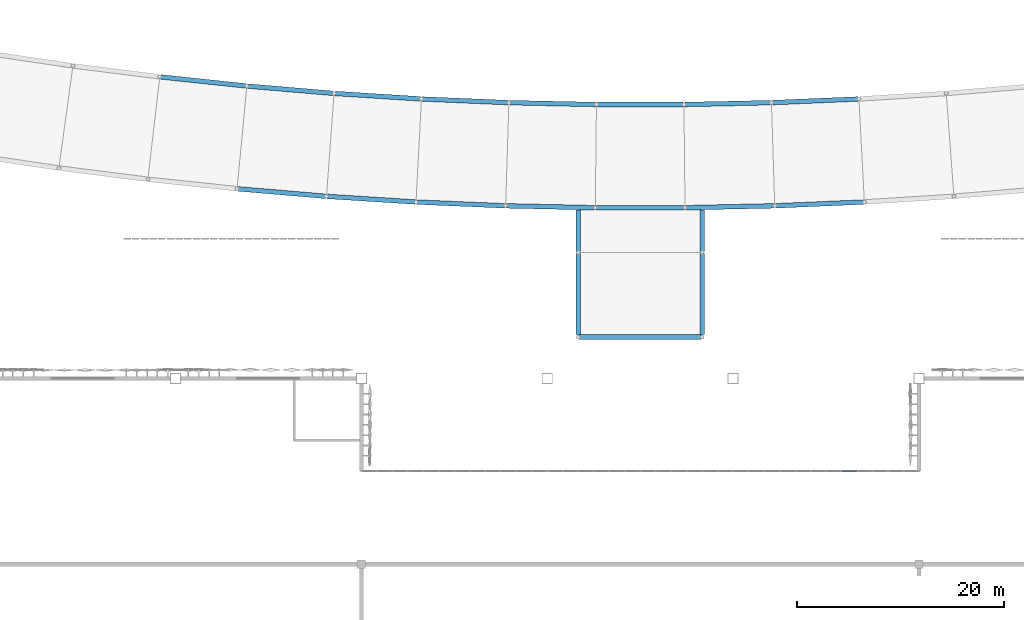
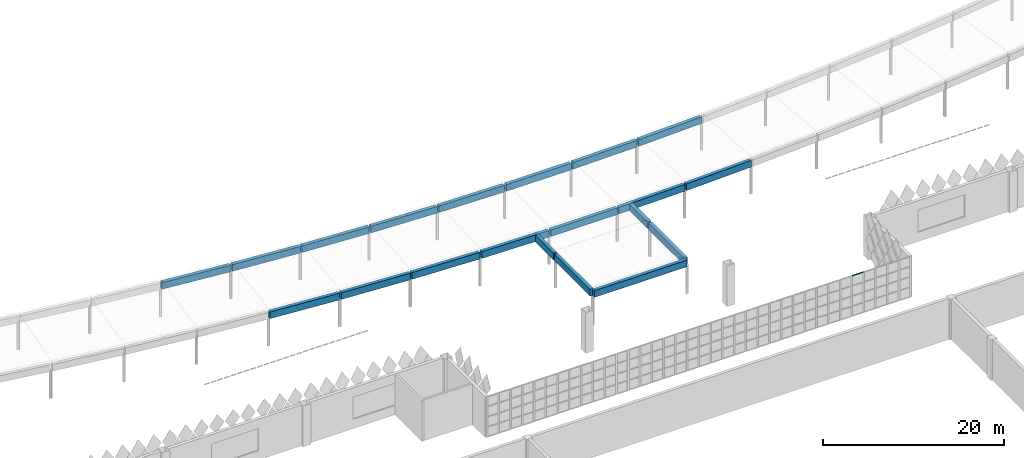
# One storey, part 45 of 185: 20 beams, 1 member, 1 element without a shape of its own.
"""IFC4 building model written with IfcOpenShell, lengths in metres."""

from ifc_helpers import new_model, si_unit, direction, frame, origin, origin_2d, place, context, subcontext, project, spatial, rectangle, hollow_rectangle, extrude, material, layer, layer_set, material_profile, profile_set, type_object, element, aggregate, save


model = new_model("IFC4")

# Units and contexts
model_context = context("Model", 3, precision=1e-05, world=origin(), true_north=direction((0.0, 1.0)))
body_context = subcontext(model_context, "Body", "Model", "MODEL_VIEW")
ifc_project = project(units=[si_unit("LENGTHUNIT", "METRE"), si_unit("AREAUNIT", "SQUARE_METRE"), si_unit("VOLUMEUNIT", "CUBIC_METRE"), si_unit("PLANEANGLEUNIT", "RADIAN"), si_unit("MASSUNIT", "GRAM", prefix="KILO")], contexts=[model_context])

# Site, building, storey
site_placement = place(None, origin())
site = spatial("IfcSite", under=ifc_project, at=site_placement, CompositionType="ELEMENT")
building_placement = place(site_placement, origin())
building = spatial("IfcBuilding", under=site, at=building_placement, Name="Opaline Strait Convention Centre", CompositionType="ELEMENT")
storey_placement = place(building_placement, frame((0.0, 0.0, 6.0)))
storey = spatial("IfcBuildingStorey", under=building, at=storey_placement, Name="L01", CompositionType="ELEMENT", Elevation=6.0)

# Beams
ifc_material_1 = material(Name="Concrete C40", Category="concrete")
ifc_material_profile_1 = material_profile(ifc_material_1, rectangle(XDim=0.449951171875, YDim=0.89990234375, at=origin_2d()), Name="RC 450x900")
ifc_profile_set_1 = profile_set([ifc_material_profile_1], Name="Concrete C40")
beam_type = type_object("IfcBeamType", Name="Arcade edge beam 450 x 900 C40", PredefinedType="BEAM", material=ifc_profile_set_1)
for number, where, z_axis, x_axis, name in (
    (1, (141.06103515625, 171.35009765625, 4.14990234375), (0.996434988163, -0.084364177019, 0.0), (0.084364177019, 0.996434988163, 0.0), "Arcade edge beam SB-I06"),
    (2, (149.718017578125, 170.619384765625, 4.14990234375), (0.99798848885, -0.06339539513, 0.0), (0.06339539513, 0.99798848885, 0.0), "Arcade edge beam SB-I07"),
):
    element("IfcBeam", number, at=place(storey_placement, frame(where, z_axis=z_axis, x_axis=x_axis)), inside=storey, type_object=beam_type, Name=name, ObjectType="SB1", PredefinedType="BEAM", context=body_context, shape_type="SweptSolid", body=[
        extrude(rectangle(XDim=0.449951171875, YDim=0.89990234375, at=origin_2d()), origin(), (0.0, 0.0, 1.0), 8.48779296875),
    ])
beam_1_placement = place(storey_placement, frame((158.388427734375, 170.07080078125, 4.14990234375), z_axis=(0.999102146097, -0.042366279794, 0.0), x_axis=(0.042366279794, 0.999102146097, 0.0)))
element("IfcBeam", 3, at=beam_1_placement, inside=storey, type_object=beam_type, Name="Arcade edge beam SB-I08", ObjectType="SB1", PredefinedType="BEAM", context=body_context, shape_type="SweptSolid", body=[
    extrude(rectangle(XDim=0.449951171875, YDim=0.89990234375, at=origin_2d()), origin(), (0.0, 0.0, 1.0), 8.48828125),
])
beam_2_placement = place(storey_placement, frame((167.069091796875, 169.705078125, 4.14990234375), z_axis=(0.999775315006, -0.02119715794, 0.0), x_axis=(0.02119715794, 0.999775315006, 0.0)))
element("IfcBeam", 4, at=beam_2_placement, inside=storey, type_object=beam_type, Name="Arcade edge beam SB-I09", ObjectType="SB1", PredefinedType="BEAM", context=body_context, shape_type="SweptSolid", body=[
    extrude(rectangle(XDim=0.449951171875, YDim=0.89990234375, at=origin_2d()), origin(), (0.0, 0.0, 1.0), 8.488525390625),
])
beam_3_placement = place(storey_placement, frame((175.755615234375, 169.52294921875, 4.14990234375), z_axis=(1.0, 0.0, 0.0), x_axis=(0.0, 1.0, 0.0)))
element("IfcBeam", 5, at=beam_3_placement, inside=storey, type_object=beam_type, Name="Arcade edge beam SB-I10", ObjectType="SB1", PredefinedType="BEAM", context=body_context, shape_type="SweptSolid", body=[
    extrude(rectangle(XDim=0.449951171875, YDim=0.89990234375, at=origin_2d()), origin(), (0.0, 0.0, 1.0), 8.48876953125),
])
beam_4_placement = place(storey_placement, frame((184.4443359375, 169.525146484375, 4.14990234375), z_axis=(0.999775315006, 0.02119715794, 0.0), x_axis=(-0.02119715794, 0.999775315006, 0.0)))
element("IfcBeam", 6, at=beam_4_placement, inside=storey, type_object=beam_type, Name="Arcade edge beam SB-I11", ObjectType="SB1", PredefinedType="BEAM", context=body_context, shape_type="SweptSolid", body=[
    extrude(rectangle(XDim=0.449951171875, YDim=0.89990234375, at=origin_2d()), origin(), (0.0, 0.0, 1.0), 8.488525390625),
])
beam_5_placement = place(storey_placement, frame((193.130859375, 169.711181640625, 4.14990234375), z_axis=(0.999102146097, 0.042366279794, 0.0), x_axis=(-0.042366279794, 0.999102146097, 0.0)))
element("IfcBeam", 7, at=beam_5_placement, inside=storey, type_object=beam_type, Name="Arcade edge beam SB-I12", ObjectType="SB1", PredefinedType="BEAM", context=body_context, shape_type="SweptSolid", body=[
    extrude(rectangle(XDim=0.449951171875, YDim=0.89990234375, at=origin_2d()), origin(), (0.0, 0.0, 1.0), 8.48828125),
])
beam_6_placement = place(storey_placement, frame((133.577392578125, 182.194580078125, 4.14990234375), z_axis=(0.994458004392, -0.105134568538, 0.0), x_axis=(0.105134568538, 0.994458004392, 0.0)))
element("IfcBeam", 8, at=beam_6_placement, inside=storey, type_object=beam_type, Name="Arcade edge beam SB-O05", ObjectType="SB1", PredefinedType="BEAM", context=body_context, shape_type="SweptSolid", body=[
    extrude(rectangle(XDim=0.449951171875, YDim=0.89990234375, at=origin_2d()), origin(), (0.0, 0.0, 1.0), 8.278564453125),
])
beam_7_placement = place(storey_placement, frame((142.009033203125, 181.30517578125, 4.14990234375), z_axis=(0.996433812642, -0.084378060083, 0.0), x_axis=(0.084378060083, 0.996433812642, 0.0)))
element("IfcBeam", 9, at=beam_7_placement, inside=storey, type_object=beam_type, Name="Arcade edge beam SB-O06", ObjectType="SB1", PredefinedType="BEAM", context=body_context, shape_type="SweptSolid", body=[
    extrude(rectangle(XDim=0.449951171875, YDim=0.89990234375, at=origin_2d()), origin(), (0.0, 0.0, 1.0), 8.278076171875),
])
beam_8_placement = place(storey_placement, frame((150.456787109375, 180.592041015625, 4.14990234375), z_axis=(0.997987313184, -0.063413900087, 0.0), x_axis=(0.063413900087, 0.997987313184, 0.0)))
element("IfcBeam", 10, at=beam_8_placement, inside=storey, type_object=beam_type, Name="Arcade edge beam SB-O07", ObjectType="SB1", PredefinedType="BEAM", context=body_context, shape_type="SweptSolid", body=[
    extrude(rectangle(XDim=0.449951171875, YDim=0.89990234375, at=origin_2d()), origin(), (0.0, 0.0, 1.0), 8.27734375),
])
for number, where, z_axis, x_axis, name in (
    (11, (158.917236328125, 180.056640625, 4.14990234375), (0.999103793698, -0.042327407415, 0.0), (0.042327407415, 0.999103793698, 0.0), "Arcade edge beam SB-O08"),
    (12, (167.38671875, 179.699951171875, 4.14990234375), (0.999775076107, -0.021208422721, 0.0), (0.021208422721, 0.999775076107, 0.0), "Arcade edge beam SB-O09"),
):
    element("IfcBeam", number, at=place(storey_placement, frame(where, z_axis=z_axis, x_axis=x_axis)), inside=storey, type_object=beam_type, Name=name, ObjectType="SB1", PredefinedType="BEAM", context=body_context, shape_type="SweptSolid", body=[
        extrude(rectangle(XDim=0.449951171875, YDim=0.89990234375, at=origin_2d()), origin(), (0.0, 0.0, 1.0), 8.27685546875),
    ])
beam_9_placement = place(storey_placement, frame((175.86181640625, 179.5224609375, 4.14990234375), z_axis=(1.0, 0.0, 0.0), x_axis=(0.0, 1.0, 0.0)))
element("IfcBeam", 13, at=beam_9_placement, inside=storey, type_object=beam_type, Name="Arcade edge beam SB-O10", ObjectType="SB1", PredefinedType="BEAM", context=body_context, shape_type="SweptSolid", body=[
    extrude(rectangle(XDim=0.449951171875, YDim=0.89990234375, at=origin_2d()), origin(), (0.0, 0.0, 1.0), 8.2763671875),
])
for number, where, z_axis, x_axis, name in (
    (14, (184.33837890625, 179.5244140625, 4.14990234375), (0.999775076107, 0.021208422721, 0.0), (-0.021208422721, 0.999775076107, 0.0), "Arcade edge beam SB-O11"),
    (15, (192.813232421875, 179.706298828125, 4.14990234375), (0.999103793698, 0.042327407415, 0.0), (-0.042327407415, 0.999103793698, 0.0), "Arcade edge beam SB-O12"),
):
    element("IfcBeam", number, at=place(storey_placement, frame(where, z_axis=z_axis, x_axis=x_axis)), inside=storey, type_object=beam_type, Name=name, ObjectType="SB1", PredefinedType="BEAM", context=body_context, shape_type="SweptSolid", body=[
        extrude(rectangle(XDim=0.449951171875, YDim=0.89990234375, at=origin_2d()), origin(), (0.0, 0.0, 1.0), 8.27685546875),
    ])
beam_10_placement = place(storey_placement, frame((174.0, 157.22509765625, 4.14990234375), z_axis=(0.0, 1.0, 0.0), x_axis=(-1.0, 0.0, 0.0)))
element("IfcBeam", 16, at=beam_10_placement, inside=storey, type_object=beam_type, Name="Arcade walk edge beam SB-WW1", ObjectType="SB1", PredefinedType="BEAM", context=body_context, shape_type="SweptSolid", body=[
    extrude(rectangle(XDim=0.449951171875, YDim=0.89990234375, at=origin_2d()), origin(), (0.0, 0.0, 1.0), 7.875),
])
beam_11_placement = place(storey_placement, frame((174.0, 165.300048828125, 4.14990234375), z_axis=(0.0, 1.0, 0.0), x_axis=(-1.0, 0.0, 0.0)))
element("IfcBeam", 17, at=beam_11_placement, inside=storey, type_object=beam_type, Name="Arcade walk edge beam SB-WW2", ObjectType="SB1", PredefinedType="BEAM", context=body_context, shape_type="SweptSolid", body=[
    extrude(rectangle(XDim=0.449951171875, YDim=0.89990234375, at=origin_2d()), origin(), (0.0, 0.0, 1.0), 3.998046875),
])
beam_12_placement = place(storey_placement, frame((186.0, 157.22509765625, 4.14990234375), z_axis=(0.0, 1.0, 0.0), x_axis=(-1.0, 0.0, 0.0)))
element("IfcBeam", 18, at=beam_12_placement, inside=storey, type_object=beam_type, Name="Arcade walk edge beam SB-WE1", ObjectType="SB1", PredefinedType="BEAM", context=body_context, shape_type="SweptSolid", body=[
    extrude(rectangle(XDim=0.449951171875, YDim=0.89990234375, at=origin_2d()), origin(), (0.0, 0.0, 1.0), 7.875),
])
beam_13_placement = place(storey_placement, frame((186.0, 165.300048828125, 4.14990234375), z_axis=(0.0, 1.0, 0.0), x_axis=(-1.0, 0.0, 0.0)))
element("IfcBeam", 19, at=beam_13_placement, inside=storey, type_object=beam_type, Name="Arcade walk edge beam SB-WE2", ObjectType="SB1", PredefinedType="BEAM", context=body_context, shape_type="SweptSolid", body=[
    extrude(rectangle(XDim=0.449951171875, YDim=0.89990234375, at=origin_2d()), origin(), (0.0, 0.0, 1.0), 3.998046875),
])
beam_14_placement = place(storey_placement, frame((174.10009765625, 157.0, 4.14990234375), z_axis=(1.0, 0.0, 0.0), x_axis=(0.0, 1.0, 0.0)))
element("IfcBeam", 20, at=beam_14_placement, inside=storey, type_object=beam_type, Name="Arcade walk end beam SB-WS", ObjectType="SB1", PredefinedType="BEAM", context=body_context, shape_type="SweptSolid", body=[
    extrude(rectangle(XDim=0.449951171875, YDim=0.89990234375, at=origin_2d()), origin(), (0.0, 0.0, 1.0), 11.7998046875),
])

# Curtain wall, member
ifc_material_2 = material(Name="Aluminium framed glazing", Category="aluminium")
ifc_layer = layer(ifc_material_2, 0.199951171875)
ifc_layer_set = layer_set([ifc_layer], Name="Aluminium framed glazing")
curtain_wall_type = type_object("IfcCurtainWallType", Name="Entrance curtain wall 1500", PredefinedType="NOTDEFINED", material=ifc_layer_set)
curtain_wall_placement = place(storey_placement, origin())
curtain_wall = element("IfcCurtainWall", 21, at=curtain_wall_placement, inside=storey, type_object=curtain_wall_type, Name="Entrance curtain wall L01-R3", PredefinedType="NOTDEFINED")
ifc_material_3 = material(Name="Aluminium alloy 6063", Category="aluminium")
ifc_material_profile_2 = material_profile(ifc_material_3, hollow_rectangle(XDim=0.06005859375, YDim=0.1201171875, WallThickness=0.0029296875, at=origin_2d()), Name="TRANSOM 60x120x3")
ifc_profile_set_2 = profile_set([ifc_material_profile_2], Name="Aluminium alloy 6063")
member_type = type_object("IfcMemberType", Name="Curtain wall transom 60 x 120", PredefinedType="USERDEFINED", material=ifc_profile_set_2)
member_placement = place(storey_placement, frame((199.530029296875, 144.0, 5.469970703125), z_axis=(1.0, 0.0, 0.0), x_axis=(0.0, 1.0, 0.0)))
member = element("IfcMember", 22, at=member_placement, type_object=member_type, Name="XCW transom 8.5", ObjectType="TRANSOM", PredefinedType="USERDEFINED", context=body_context, shape_type="SweptSolid", body=[
    extrude(hollow_rectangle(XDim=0.06005859375, YDim=0.1201171875, WallThickness=0.0029296875, at=origin_2d()), origin(), (0.0, 0.0, 1.0), 1.43994140625),
])
aggregate(curtain_wall, [member])

save(model, "model.ifc")
